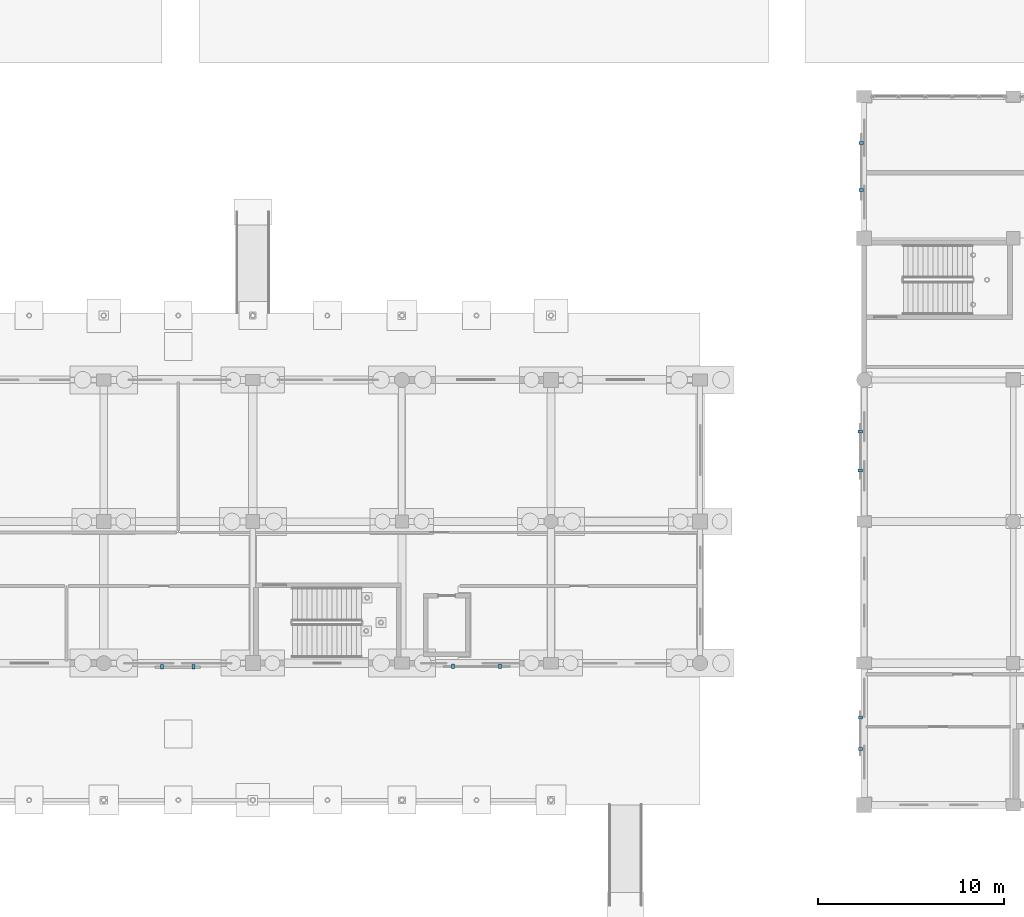
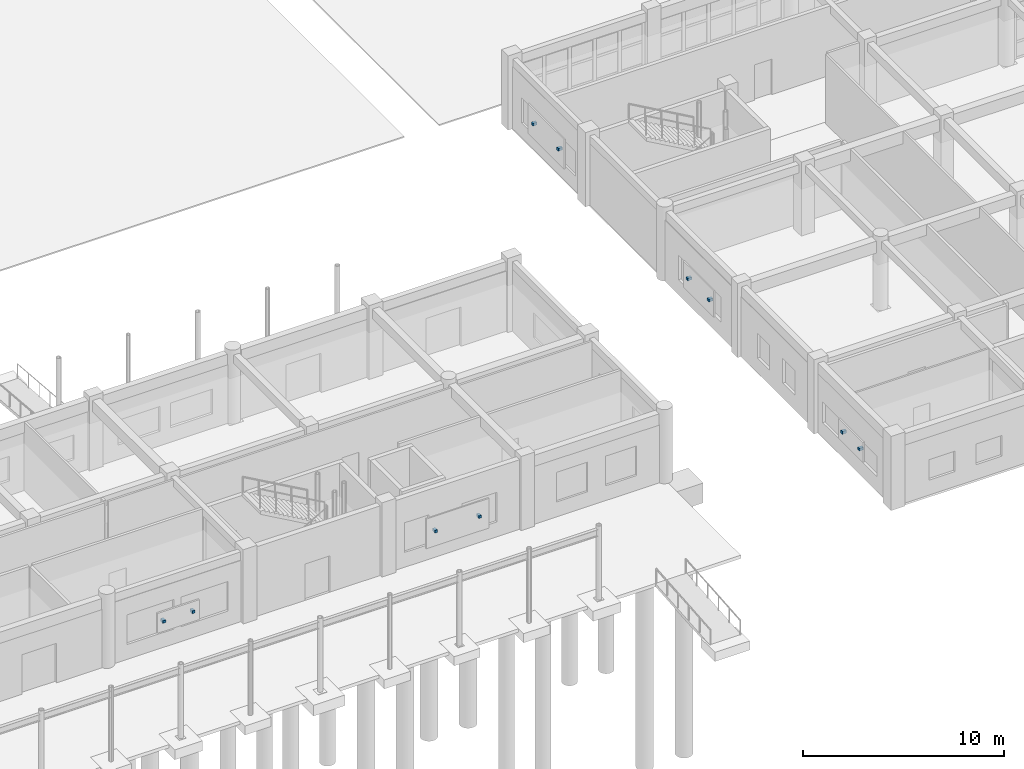
# One storey, part 145 of 166: 10 discrete accessories.
"""IFC4 building model written with IfcOpenShell, lengths in metres."""

from ifc_helpers import new_model, si_unit, direction, frame, origin, origin_2d, place, context, subcontext, project, spatial, rectangle, extrude, material, type_object, element, save


model = new_model("IFC4")

# Units and contexts
model_context = context("Model", 3, precision=1e-05, world=origin(), true_north=direction((0.0, 1.0)))
body_context = subcontext(model_context, "Body", "Model", "MODEL_VIEW")
ifc_project = project(units=[si_unit("LENGTHUNIT", "METRE"), si_unit("AREAUNIT", "SQUARE_METRE"), si_unit("VOLUMEUNIT", "CUBIC_METRE"), si_unit("PLANEANGLEUNIT", "RADIAN"), si_unit("MASSUNIT", "GRAM", prefix="KILO")], contexts=[model_context])

# Site, building, storey
site_placement = place(None, origin())
site = spatial("IfcSite", under=ifc_project, at=site_placement, CompositionType="ELEMENT")
building_placement = place(site_placement, origin())
building = spatial("IfcBuilding", under=site, at=building_placement, Name="Kharva Crest Polytechnic", CompositionType="ELEMENT")
storey_placement = place(building_placement, origin())
storey = spatial("IfcBuildingStorey", under=building, at=storey_placement, Name="L00", CompositionType="ELEMENT", Elevation=0.0)

# Discrete accessories
ifc_material = material(Name="Anodised aluminium", Category="aluminium")
discrete_accessory_type = type_object("IfcDiscreteAccessoryType", Name="ACC-BRK-JAALI", PredefinedType="BRACKET", material=ifc_material)
for number, where, z_axis, x_axis, name in (
    (1, (83.130615234375, 7.41259765625, 1.56982421875), (0.0, 0.0, 1.0), (1.0, 0.0, 0.0), "L00 Jaali Screen Bracket 5.1"),
    (2, (84.810546875, 7.41259765625, 1.56982421875), (0.0, 0.0, 1.0), (1.0, 0.0, 0.0), "L00 Jaali Screen Bracket 5.2"),
    (3, (98.7451171875, 7.427490234375, 1.56982421875), (0.0, 0.0, 1.0), (1.0, 0.0, 0.0), "L00 Jaali Screen Bracket 6.1"),
    (4, (101.264892578125, 7.427490234375, 1.56982421875), (0.0, 0.0, 1.0), (1.0, 0.0, 0.0), "L00 Jaali Screen Bracket 6.2"),
    (5, (120.642578125, 35.49755859375, 1.56982421875), (0.0, 0.0, 1.0), (0.0, 1.0, 0.0), "L00 Jaali Screen Bracket 9.1"),
    (6, (120.642578125, 32.9775390625, 1.56982421875), (0.0, 0.0, 1.0), (0.0, 1.0, 0.0), "L00 Jaali Screen Bracket 9.2"),
    (7, (120.590087890625, 20.029541015625, 1.56982421875), (0.0, 0.0, 1.0), (0.0, 1.0, 0.0), "L00 Jaali Screen Bracket 10.1"),
    (8, (120.590087890625, 17.929443359375, 1.56982421875), (0.0, 0.0, 1.0), (0.0, 1.0, 0.0), "L00 Jaali Screen Bracket 10.2"),
    (9, (120.60498046875, 4.677490234375, 1.56982421875), (0.0, 0.0, 1.0), (0.0, 1.0, 0.0), "L00 Jaali Screen Bracket 11.1"),
    (10, (120.60498046875, 2.99755859375, 1.56982421875), (0.0, 0.0, 1.0), (0.0, 1.0, 0.0), "L00 Jaali Screen Bracket 11.2"),
):
    element("IfcDiscreteAccessory", number, at=place(storey_placement, frame(where, z_axis=z_axis, x_axis=x_axis)), inside=storey, type_object=discrete_accessory_type, Name=name, PredefinedType="BRACKET", context=body_context, shape_type="SweptSolid", body=[
        extrude(rectangle(XDim=0.159912109375, YDim=0.239990234375, at=origin_2d()), origin(), (0.0, 0.0, 1.0), 0.159912109375),
    ])

save(model, "model.ifc")
